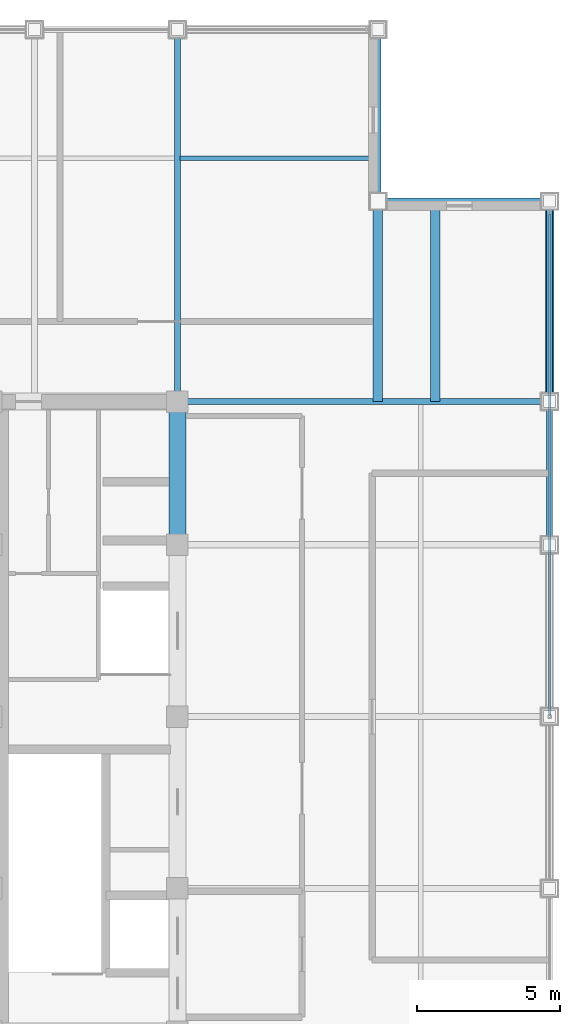
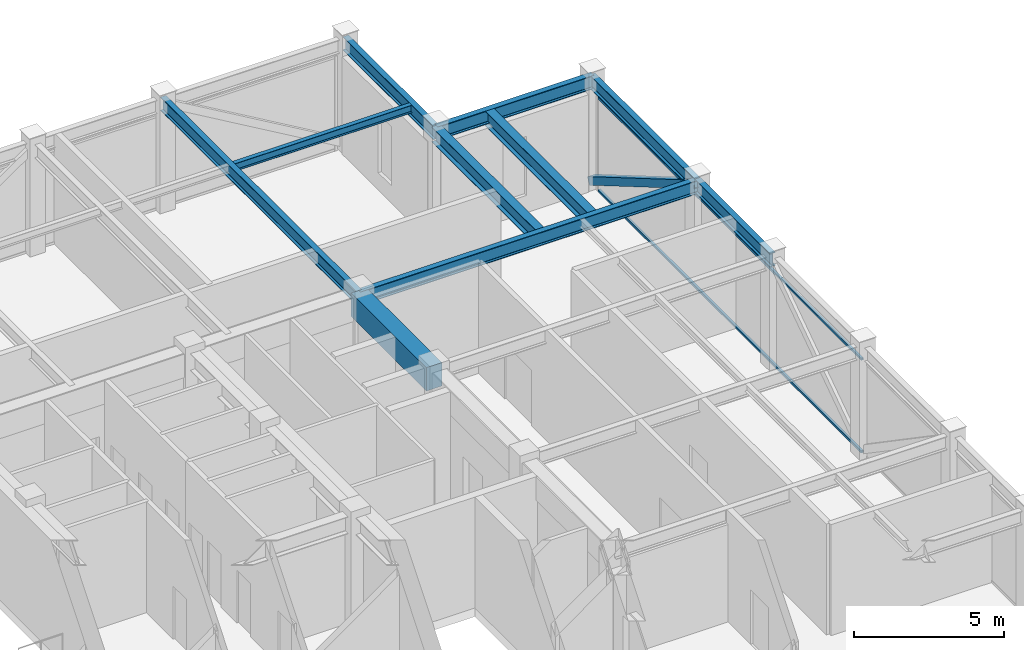
# One storey, part 19 of 27: 10 beams, 3 members, 1 element without a shape of its own.
"""IFC4 building model written with IfcOpenShell, lengths in metres."""

from ifc_helpers import new_model, si_unit, direction, frame, origin, origin_2d, place, context, subcontext, project, spatial, rectangle, hollow_rectangle, i_section, extrude, source, transform, mapped, material, material_profile, profile_set, type_object, element, aggregate, save


model = new_model("IFC4")

# Units and contexts
model_context = context("Model", 3, precision=1e-05, world=origin(), true_north=direction((0.0, 1.0)))
body_context = subcontext(model_context, "Body", "Model", "MODEL_VIEW")
ifc_project = project(units=[si_unit("LENGTHUNIT", "METRE"), si_unit("AREAUNIT", "SQUARE_METRE"), si_unit("VOLUMEUNIT", "CUBIC_METRE"), si_unit("PLANEANGLEUNIT", "RADIAN"), si_unit("MASSUNIT", "GRAM", prefix="KILO")], contexts=[model_context])

# Site, building, storey
site_placement = place(None, origin())
site = spatial("IfcSite", under=ifc_project, at=site_placement, CompositionType="ELEMENT")
building_placement = place(site_placement, origin())
building = spatial("IfcBuilding", under=site, at=building_placement, Name="Khorayat Bourse Tower", CompositionType="ELEMENT")
storey_placement = place(building_placement, frame((0.0, 0.0, 399.5)))
storey = spatial("IfcBuildingStorey", under=building, at=storey_placement, Name="L94", CompositionType="ELEMENT", Elevation=399.5)

# Beams
ifc_material_1 = material(Name="Concrete C60/75", Category="concrete")
ifc_material_profile_1 = material_profile(ifc_material_1, rectangle(XDim=0.60009765625, YDim=0.949951171875, at=origin_2d()), Name="RC 600x950")
ifc_profile_set_1 = profile_set([ifc_material_profile_1], Name="Concrete C60/75")
beam_type_1 = type_object("IfcBeamType", Name="BM-COUP-950", PredefinedType="BEAM", material=ifc_profile_set_1)
shared_shape_1 = source(origin(), body_context, "Body", "SweptSolid", [
    extrude(rectangle(XDim=0.60009765625, YDim=0.949951171875, at=origin_2d()), origin(), (0.0, 0.0, 1.0), 5.0),
])
beam_1_placement = place(storey_placement, frame((11.0, 6.0, 4.02490234375), z_axis=(0.0, 1.0, 0.0), x_axis=(-1.0, 0.0, 0.0)))
element("IfcBeam", 1, at=beam_1_placement, inside=storey, type_object=beam_type_1, Name="L94 BM-COUP-950 BM-L94-CRX-16", PredefinedType="BEAM", context=body_context, shape_type="MappedRepresentation", body=[
    mapped(shared_shape_1, transform((0.0, 0.0, 0.0), scale=1.0)),
])
ifc_material_2 = material(Name="Steel ASTM A992 Grade 50", Category="steel")
ifc_material_profile_2 = material_profile(ifc_material_2, i_section(OverallWidth=0.214111328125, OverallDepth=0.549072265625, WebThickness=0.0146484375, FlangeThickness=0.023681640625, FilletRadius=0.013916015625, at=origin_2d()), Name="W530X138")
ifc_profile_set_2 = profile_set([ifc_material_profile_2], Name="Steel ASTM A992 Grade 50")
beam_type_2 = type_object("IfcBeamType", Name="BM-SPAN-530", PredefinedType="SPANDREL", material=ifc_profile_set_2)
shared_shape_2 = source(origin(), body_context, "Body", "SweptSolid", [
    extrude(i_section(OverallWidth=0.214111328125, OverallDepth=0.549072265625, WebThickness=0.0146484375, FlangeThickness=0.023681640625, FilletRadius=0.013916015625, at=origin_2d()), origin(), (0.0, 0.0, 1.0), 5.0),
])
beam_2_placement = place(storey_placement, frame((24.0, 6.0, 4.2255859375), z_axis=(0.0, 1.0, 0.0), x_axis=(-1.0, 0.0, 0.0)))
element("IfcBeam", 2, at=beam_2_placement, inside=storey, type_object=beam_type_2, Name="L94 BM-SPAN-530 BM-L94-SPN-036", PredefinedType="SPANDREL", context=body_context, shape_type="MappedRepresentation", body=[
    mapped(shared_shape_2, transform((0.0, 0.0, 0.0), scale=1.0)),
])
shared_shape_3 = source(origin(), body_context, "Body", "SweptSolid", [
    extrude(i_section(OverallWidth=0.214111328125, OverallDepth=0.549072265625, WebThickness=0.0146484375, FlangeThickness=0.023681640625, FilletRadius=0.013916015625, at=origin_2d()), origin(), (0.0, 0.0, 1.0), 6.0),
])
for number, where, z_axis, x_axis, name in (
    (3, (18.0, 18.0, 4.2255859375), (1.0, 0.0, 0.0), (0.0, 1.0, 0.0), "L94 BM-SPAN-530 BM-L94-SPN-038"),
    (4, (18.0, 18.0, 4.2255859375), (0.0, 1.0, 0.0), (-1.0, 0.0, 0.0), "L94 BM-SPAN-530 BM-L94-SPN-039"),
):
    element("IfcBeam", number, at=place(storey_placement, frame(where, z_axis=z_axis, x_axis=x_axis)), inside=storey, type_object=beam_type_2, Name=name, PredefinedType="SPANDREL", context=body_context, shape_type="MappedRepresentation", body=[
        mapped(shared_shape_3, transform((0.0, 0.0, 0.0), scale=1.0)),
    ])
shared_shape_4 = source(origin(), body_context, "Body", "SweptSolid", [
    extrude(i_section(OverallWidth=0.214111328125, OverallDepth=0.549072265625, WebThickness=0.0146484375, FlangeThickness=0.023681640625, FilletRadius=0.013916015625, at=origin_2d()), origin(), (0.0, 0.0, 1.0), 7.0),
])
beam_3_placement = place(storey_placement, frame((24.0, 11.0, 4.2255859375), z_axis=(0.0, 1.0, 0.0), x_axis=(-1.0, 0.0, 0.0)))
element("IfcBeam", 5, at=beam_3_placement, inside=storey, type_object=beam_type_2, Name="L94 BM-SPAN-530 BM-L94-SPN-037", PredefinedType="SPANDREL", context=body_context, shape_type="MappedRepresentation", body=[
    mapped(shared_shape_4, transform((0.0, 0.0, 0.0), scale=1.0)),
])
ifc_material_profile_3 = material_profile(ifc_material_2, i_section(OverallWidth=0.214111328125, OverallDepth=0.549072265625, WebThickness=0.0146484375, FlangeThickness=0.023681640625, FilletRadius=0.013916015625, at=origin_2d()), Name="W530X138")
ifc_profile_set_3 = profile_set([ifc_material_profile_3], Name="Steel ASTM A992 Grade 50")
beam_type_3 = type_object("IfcBeamType", Name="BM-GIRD-530", PredefinedType="BEAM", material=ifc_profile_set_3)
shared_shape_5 = source(origin(), body_context, "Body", "SweptSolid", [
    extrude(i_section(OverallWidth=0.214111328125, OverallDepth=0.549072265625, WebThickness=0.0146484375, FlangeThickness=0.023681640625, FilletRadius=0.013916015625, at=origin_2d()), origin(), (0.0, 0.0, 1.0), 13.0),
])
for number, where, z_axis, x_axis, name in (
    (6, (11.0, 11.0, 4.2255859375), (0.0, 1.0, 0.0), (-1.0, 0.0, 0.0), "L94 BM-GIRD-530 BM-L94-RADY-064"),
    (7, (11.0, 11.0, 4.2255859375), (1.0, 0.0, 0.0), (0.0, 1.0, 0.0), "L94 BM-GIRD-530 BM-L94-RADX-074"),
):
    element("IfcBeam", number, at=place(storey_placement, frame(where, z_axis=z_axis, x_axis=x_axis)), inside=storey, type_object=beam_type_3, Name=name, PredefinedType="BEAM", context=body_context, shape_type="MappedRepresentation", body=[
        mapped(shared_shape_5, transform((0.0, 0.0, 0.0), scale=1.0)),
    ])
ifc_material_profile_4 = material_profile(ifc_material_2, i_section(OverallWidth=0.324951171875, OverallDepth=0.615966796875, WebThickness=0.013916015625, FlangeThickness=0.021484375, FilletRadius=0.01611328125, at=origin_2d()), Name="W610X174")
ifc_profile_set_4 = profile_set([ifc_material_profile_4], Name="Steel ASTM A992 Grade 50")
beam_type_4 = type_object("IfcBeamType", Name="BM-GIRD-610", PredefinedType="BEAM", material=ifc_profile_set_4)
shared_shape_6 = source(origin(), body_context, "Body", "SweptSolid", [
    extrude(i_section(OverallWidth=0.324951171875, OverallDepth=0.615966796875, WebThickness=0.013916015625, FlangeThickness=0.021484375, FilletRadius=0.01611328125, at=origin_2d()), origin(), (0.0, 0.0, 1.0), 7.0),
])
for number, where, z_axis, x_axis, name in (
    (8, (18.0, 11.0, 4.19189453125), (0.0, 1.0, 0.0), (-1.0, 0.0, 0.0), "L94 BM-GIRD-610 BM-L94-CNRY-079"),
    (9, (20.0, 11.0, 4.19189453125), (0.0, 1.0, 0.0), (-1.0, 0.0, 0.0), "L94 BM-GIRD-610 BM-L94-CNRY-083"),
):
    element("IfcBeam", number, at=place(storey_placement, frame(where, z_axis=z_axis, x_axis=x_axis)), inside=storey, type_object=beam_type_4, Name=name, PredefinedType="BEAM", context=body_context, shape_type="MappedRepresentation", body=[
        mapped(shared_shape_6, transform((0.0, 0.0, 0.0), scale=1.0)),
    ])
ifc_material_profile_5 = material_profile(ifc_material_2, i_section(OverallWidth=0.1669921875, OverallDepth=0.31689453125, WebThickness=0.007568359375, FlangeThickness=0.01318359375, FilletRadius=0.010009765625, at=origin_2d()), Name="W310X52")
ifc_profile_set_5 = profile_set([ifc_material_profile_5], Name="Steel ASTM A992 Grade 50")
beam_type_5 = type_object("IfcBeamType", Name="BM-JOIST-310", PredefinedType="JOIST", material=ifc_profile_set_5)
shared_shape_7 = source(origin(), body_context, "Body", "SweptSolid", [
    extrude(i_section(OverallWidth=0.1669921875, OverallDepth=0.31689453125, WebThickness=0.007568359375, FlangeThickness=0.01318359375, FilletRadius=0.010009765625, at=origin_2d()), origin(), (0.0, 0.0, 1.0), 6.81005859375),
])
beam_4_placement = place(storey_placement, frame((11.094970703125, 19.5, 4.341552734375), z_axis=(1.0, 0.0, 0.0), x_axis=(0.0, 1.0, 0.0)))
element("IfcBeam", 10, at=beam_4_placement, inside=storey, type_object=beam_type_5, Name="L94 BM-JOIST-310 BM-L94-JSTX-089", PredefinedType="JOIST", context=body_context, shape_type="MappedRepresentation", body=[
    mapped(shared_shape_7, transform((0.0, 0.0, 0.0), scale=1.0)),
])

# Member
ifc_material_3 = material(Name="Steel EN 10025-2 S355J2", Category="steel")
ifc_material_profile_6 = material_profile(ifc_material_3, hollow_rectangle(XDim=0.300048828125, YDim=0.300048828125, WallThickness=0.01611328125, at=origin_2d()), Name="HSS 300x300x16")
ifc_profile_set_6 = profile_set([ifc_material_profile_6], Name="Steel EN 10025-2 S355J2")
member_type_1 = type_object("IfcMemberType", Name="MBR-CROWN-300", PredefinedType="USERDEFINED", material=ifc_profile_set_6)
shared_shape_8 = source(origin(), body_context, "Body", "SweptSolid", [
    extrude(hollow_rectangle(XDim=0.300048828125, YDim=0.300048828125, WallThickness=0.01611328125, at=origin_2d()), origin(), (0.0, 0.0, 1.0), 8.1123046875),
])
member_1_placement = place(storey_placement, frame((24.0, 11.0, 4.300048828125), z_axis=(0.0, 0.862878111278, -0.505412074526), x_axis=(-1.0, 0.0, 0.0)))
element("IfcMember", 11, at=member_1_placement, inside=storey, type_object=member_type_1, Name="L94 Lantern Crown Frame Member 16", ObjectType="CROWN FRAME", PredefinedType="USERDEFINED", context=body_context, shape_type="MappedRepresentation", body=[
    mapped(shared_shape_8, transform((0.0, 0.0, 0.0), scale=1.0)),
])

# Curtain wall, members
ifc_material_4 = material(Name="Aluminium EN AW-6063 T6", Category="aluminium")
curtain_wall_type = type_object("IfcCurtainWallType", Name="CW-SYS-07", PredefinedType="NOTDEFINED", material=ifc_material_4)
curtain_wall_placement = place(storey_placement, origin())
curtain_wall = element("IfcCurtainWall", 12, at=curtain_wall_placement, inside=storey, type_object=curtain_wall_type, Name="L94 Curtain Wall CW-L94-E1", PredefinedType="NOTDEFINED")
ifc_material_profile_7 = material_profile(ifc_material_4, hollow_rectangle(XDim=0.090087890625, YDim=0.090087890625, WallThickness=0.00390625, at=origin_2d()), Name="ALU 90x90x4")
ifc_profile_set_7 = profile_set([ifc_material_profile_7], Name="Aluminium EN AW-6063 T6")
member_type_2 = type_object("IfcMemberType", Name="CWT-HORZ-90", PredefinedType="USERDEFINED", material=ifc_profile_set_7)
shared_shape_9 = source(origin(), body_context, "Body", "SweptSolid", [
    extrude(hollow_rectangle(XDim=0.090087890625, YDim=0.090087890625, WallThickness=0.00390625, at=origin_2d()), origin(), (0.0, 0.0, 1.0), 17.5),
])
member_2_placement = place(storey_placement, frame((24.0, 0.050048828125, 0.044921875), z_axis=(0.0, 1.0, 0.0), x_axis=(-1.0, 0.0, 0.0)))
member_2 = element("IfcMember", 13, at=member_2_placement, type_object=member_type_2, Name="CW-L94-E1 Horizontal Transom 2-1", ObjectType="TRANSOM", PredefinedType="USERDEFINED", context=body_context, shape_type="MappedRepresentation", body=[
    mapped(shared_shape_9, transform((0.0, 0.0, 0.0), scale=1.0)),
])
member_3_placement = place(storey_placement, frame((24.0, 0.050048828125, 3.804931640625), z_axis=(0.0, 1.0, 0.0), x_axis=(-1.0, 0.0, 0.0)))
member_3 = element("IfcMember", 14, at=member_3_placement, type_object=member_type_2, Name="CW-L94-E1 Horizontal Transom 2-2", ObjectType="TRANSOM", PredefinedType="USERDEFINED", context=body_context, shape_type="MappedRepresentation", body=[
    mapped(shared_shape_9, transform((0.0, 0.0, 0.0), scale=1.0)),
])
aggregate(curtain_wall, [member_2, member_3])

save(model, "model.ifc")
